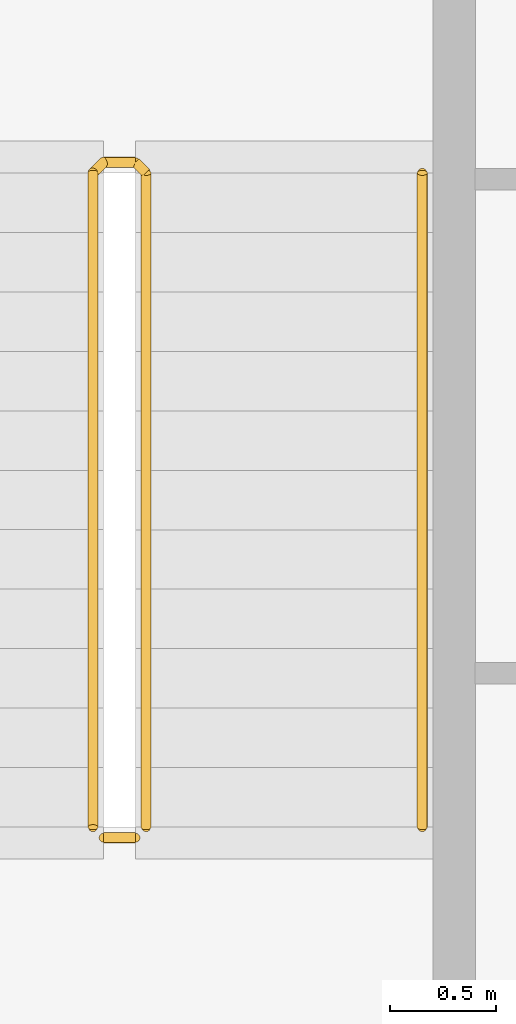
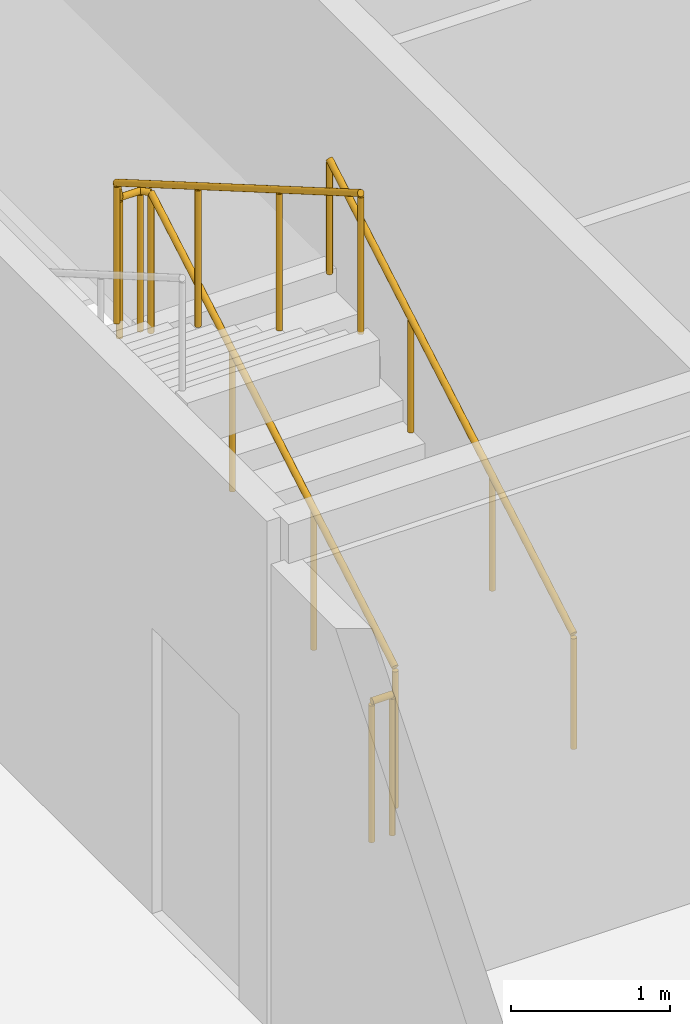
# One storey, part 28 of 29: 3 railings.
"""IFC4 building model written with IfcOpenShell, lengths in metres."""

from ifc_helpers import new_model, si_unit, direction, frame, origin, origin_2d, place, context, subcontext, project, spatial, circle, extrude, material, type_object, element, save


model = new_model("IFC4")

# Units and contexts
model_context = context("Model", 3, precision=1e-05, world=origin(), true_north=direction((0.0, 1.0)))
body_context = subcontext(model_context, "Body", "Model", "MODEL_VIEW")
ifc_project = project(units=[si_unit("LENGTHUNIT", "METRE"), si_unit("AREAUNIT", "SQUARE_METRE"), si_unit("VOLUMEUNIT", "CUBIC_METRE"), si_unit("PLANEANGLEUNIT", "RADIAN"), si_unit("MASSUNIT", "GRAM", prefix="KILO")], contexts=[model_context])

# Site, building, storey
site_placement = place(None, origin())
site = spatial("IfcSite", under=ifc_project, at=site_placement, CompositionType="ELEMENT")
building_placement = place(site_placement, origin())
building = spatial("IfcBuilding", under=site, at=building_placement, Name="Kheshtan School and Residences Tower", CompositionType="ELEMENT")
storey_placement = place(building_placement, frame((0.0, 0.0, 117.5)))
storey = spatial("IfcBuildingStorey", under=building, at=storey_placement, Name="L27", CompositionType="ELEMENT", Elevation=117.5)

# Railings
ifc_material_1 = material(Name="Stainless steel balustrade", Category="steel")
railing_type_1 = type_object("IfcRailingType", Name="Stair guard 1100", PredefinedType="GUARDRAIL", material=ifc_material_1)
railing_1_placement = place(storey_placement, frame((35.0, 80.89990234375, 0.16259765625)))
element("IfcRailing", 1, at=railing_1_placement, inside=storey, type_object=railing_type_1, Name="L27 ST3 stair guard 1", PredefinedType="GUARDRAIL", context=body_context, shape_type="SweptSolid", body=[
    extrude(circle(Radius=0.02392578125, at=origin_2d()), frame((0.0, 0.0, 1.076171875), z_axis=(0.0, 0.864920483161, 0.501908913857), x_axis=(-1.0, 0.0, 0.0)), (0.0, 0.0, 1.0), 3.56103515625),
    extrude(circle(Radius=0.02392578125, at=origin_2d()), frame((0.0, 3.080078125, 2.86328125), z_axis=(-0.707106781187, 0.707106781187, 0.0), x_axis=(-0.707106781187, -0.707106781187, 0.0)), (0.0, 0.0, 1.0), 0.07080078125),
    extrude(circle(Radius=0.02392578125, at=origin_2d()), frame((-0.050048828125, 3.130126953125, 2.86328125), z_axis=(-1.0, 0.0, 0.0), x_axis=(0.0, -1.0, 0.0)), (0.0, 0.0, 1.0), 0.14990234375),
    extrude(circle(Radius=0.02392578125, at=origin_2d()), frame((-0.199951171875, 3.130126953125, 2.86328125), z_axis=(-0.282227285176, -0.282227285176, 0.916894497205), x_axis=(0.707106781187, -0.707106781187, 0.0)), (0.0, 0.0, 1.0), 0.17724609375),
    extrude(circle(Radius=0.02392578125, at=origin_2d()), frame((-0.25, 3.080078125, 3.02587890625), z_axis=(0.0, -0.864920483161, 0.501908913857), x_axis=(1.0, 0.0, 0.0)), (0.0, 0.0, 1.0), 3.56103515625),
    extrude(circle(Radius=0.02099609375, at=origin_2d()), origin(), (0.0, 0.0, 1.0), 1.052001953125),
    extrude(circle(Radius=0.02099609375, at=origin_2d()), frame((0.0, 1.026611328125, 0.595703125)), (0.0, 0.0, 1.0), 1.052001953125),
    extrude(circle(Radius=0.02099609375, at=origin_2d()), frame((0.0, 2.053466796875, 1.191650390625)), (0.0, 0.0, 1.0), 1.052001953125),
    extrude(circle(Radius=0.02099609375, at=origin_2d()), frame((0.0, 3.080078125, 1.787353515625)), (0.0, 0.0, 1.0), 1.052001953125),
    extrude(circle(Radius=0.02099609375, at=origin_2d()), frame((-0.050048828125, 3.130126953125, 1.787353515625)), (0.0, 0.0, 1.0), 1.052001953125),
    extrude(circle(Radius=0.02099609375, at=origin_2d()), frame((-0.199951171875, 3.130126953125, 1.787353515625)), (0.0, 0.0, 1.0), 1.052001953125),
    extrude(circle(Radius=0.02099609375, at=origin_2d()), frame((-0.25, 3.080078125, 1.949951171875)), (0.0, 0.0, 1.0), 1.052001953125),
    extrude(circle(Radius=0.02099609375, at=origin_2d()), frame((-0.25, 2.053466796875, 2.545654296875)), (0.0, 0.0, 1.0), 1.052001953125),
    extrude(circle(Radius=0.02099609375, at=origin_2d()), frame((-0.25, 1.026611328125, 3.1416015625)), (0.0, 0.0, 1.0), 1.052001953125),
    extrude(circle(Radius=0.02099609375, at=origin_2d()), frame((-0.25, 0.0, 3.7373046875)), (0.0, 0.0, 1.0), 1.052001953125),
])
railing_2_placement = place(storey_placement, frame((34.949951171875, 80.85009765625, 0.0)))
element("IfcRailing", 2, at=railing_2_placement, inside=storey, type_object=railing_type_1, Name="L27 ST3 stair guard 2", PredefinedType="GUARDRAIL", context=body_context, shape_type="SweptSolid", body=[
    extrude(circle(Radius=0.02392578125, at=origin_2d()), frame((0.0, 0.0, 1.076171875), z_axis=(-1.0, 0.0, 0.0), x_axis=(0.0, -1.0, 0.0)), (0.0, 0.0, 1.0), 0.14990234375),
    extrude(circle(Radius=0.02099609375, at=origin_2d()), origin(), (0.0, 0.0, 1.0), 1.052001953125),
    extrude(circle(Radius=0.02099609375, at=origin_2d()), frame((-0.14990234375, 0.0, 0.0)), (0.0, 0.0, 1.0), 1.052001953125),
])
ifc_material_2 = material(Name="Stainless steel handrail", Category="steel")
railing_type_2 = type_object("IfcRailingType", Name="Stair handrail 900", PredefinedType="HANDRAIL", material=ifc_material_2)
railing_3_placement = place(storey_placement, frame((36.300048828125, 80.89990234375, 0.16259765625)))
element("IfcRailing", 3, at=railing_3_placement, inside=storey, type_object=railing_type_2, Name="L27 ST3 stair handrail 1", PredefinedType="HANDRAIL", context=body_context, shape_type="SweptSolid", body=[
    extrude(circle(Radius=0.02392578125, at=origin_2d()), frame((0.0, 0.0, 0.8759765625), z_axis=(0.0, 0.864920483161, 0.501908913857), x_axis=(-1.0, 0.0, 0.0)), (0.0, 0.0, 1.0), 3.56103515625),
    extrude(circle(Radius=0.02099609375, at=origin_2d()), origin(), (0.0, 0.0, 1.0), 0.851806640625),
    extrude(circle(Radius=0.02099609375, at=origin_2d()), frame((0.0, 1.026611328125, 0.595703125)), (0.0, 0.0, 1.0), 0.851806640625),
    extrude(circle(Radius=0.02099609375, at=origin_2d()), frame((0.0, 2.053466796875, 1.191650390625)), (0.0, 0.0, 1.0), 0.851806640625),
    extrude(circle(Radius=0.02099609375, at=origin_2d()), frame((0.0, 3.080078125, 1.787353515625)), (0.0, 0.0, 1.0), 0.851806640625),
])

save(model, "model.ifc")
